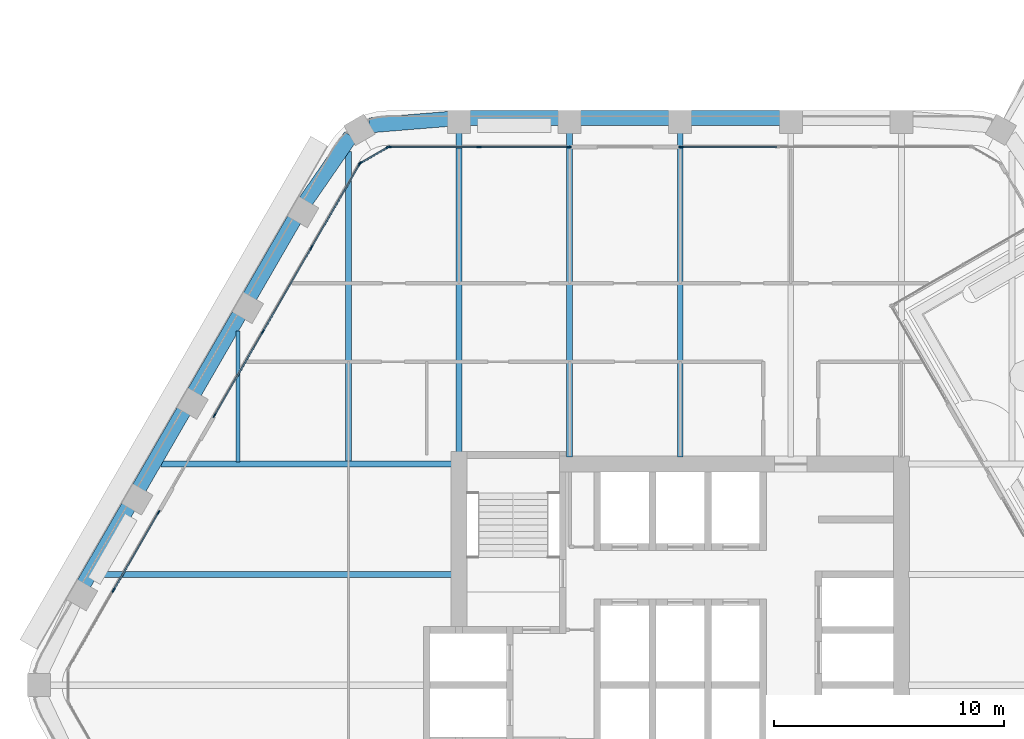
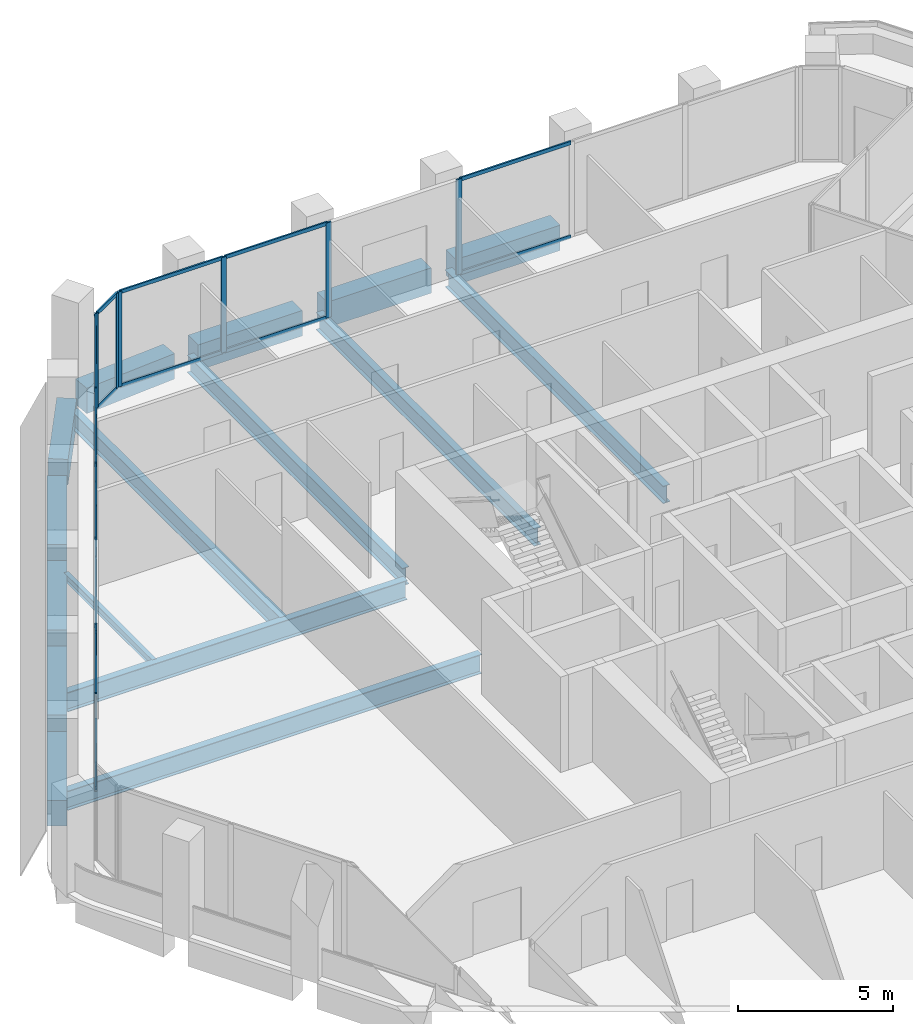
# One storey, part 6 of 17: 28 members, 16 beams, 5 elements without a shape of their own.
"""IFC4 building model written with IfcOpenShell, lengths in metres."""

from ifc_helpers import new_model, si_unit, direction, frame, origin, origin_2d, place, context, subcontext, project, spatial, rectangle, i_section, extrude, material, material_profile, profile_set, type_object, element, aggregate, save


model = new_model("IFC4")

# Units and contexts
model_context = context("Model", 3, precision=1e-05, world=origin(), true_north=direction((0.0, 1.0)))
body_context = subcontext(model_context, "Body", "Model", "MODEL_VIEW")
ifc_project = project(units=[si_unit("LENGTHUNIT", "METRE"), si_unit("AREAUNIT", "SQUARE_METRE"), si_unit("VOLUMEUNIT", "CUBIC_METRE"), si_unit("PLANEANGLEUNIT", "RADIAN"), si_unit("MASSUNIT", "GRAM", prefix="KILO")], contexts=[model_context])

# Site, building, storey
site_placement = place(None, origin())
site = spatial("IfcSite", under=ifc_project, at=site_placement, CompositionType="ELEMENT")
building_placement = place(site_placement, origin())
building = spatial("IfcBuilding", under=site, at=building_placement, Name="Kolab Exchange Tower", CompositionType="ELEMENT")
storey_placement = place(building_placement, frame((0.0, 0.0, 181.699951171875)))
storey = spatial("IfcBuildingStorey", under=building, at=storey_placement, Name="L38", CompositionType="ELEMENT", Elevation=181.699951171875)

# Beams
ifc_material_1 = material(Name="Steel S355", Category="steel")
ifc_material_profile_1 = material_profile(ifc_material_1, i_section(OverallWidth=0.1650390625, OverallDepth=0.31005859375, WebThickness=0.005859375, FlangeThickness=0.009765625, at=origin_2d()), Name="W310X39")
ifc_profile_set_1 = profile_set([ifc_material_profile_1], Name="Steel S355")
beam_type_1 = type_object("IfcBeamType", Name="FLOOR BEAM W310X39", PredefinedType="BEAM", material=ifc_profile_set_1)
beam_1_placement = place(storey_placement, frame((-19.199951171875, 9.693603515625, -0.304931640625), z_axis=(0.0, 1.0, 0.0), x_axis=(-1.0, 0.0, 0.0)))
element("IfcBeam", 1, at=beam_1_placement, inside=storey, type_object=beam_type_1, Name="beam/L38/fr/004", PredefinedType="BEAM", context=body_context, shape_type="SweptSolid", body=[
    extrude(i_section(OverallWidth=0.1650390625, OverallDepth=0.31005859375, WebThickness=0.005859375, FlangeThickness=0.009765625, at=origin_2d()), origin(), (0.0, 0.0, 1.0), 5.674072265625),
])
ifc_material_profile_2 = material_profile(ifc_material_1, i_section(OverallWidth=0.25390625, OverallDepth=0.68408203125, WebThickness=0.012451171875, FlangeThickness=0.018798828125, at=origin_2d()), Name="W690X140")
ifc_profile_set_2 = profile_set([ifc_material_profile_2], Name="Steel S355")
beam_type_2 = type_object("IfcBeamType", Name="FLOOR BEAM W690X140", PredefinedType="BEAM", material=ifc_profile_set_2)
beam_2_placement = place(storey_placement, frame((-14.39990234375, 9.693603515625, -0.491943359375), z_axis=(0.0, 1.0, 0.0), x_axis=(-1.0, 0.0, 0.0)))
element("IfcBeam", 2, at=beam_2_placement, inside=storey, type_object=beam_type_2, Name="beam/L38/fr/006", PredefinedType="BEAM", context=body_context, shape_type="SweptSolid", body=[
    extrude(i_section(OverallWidth=0.25390625, OverallDepth=0.68408203125, WebThickness=0.012451171875, FlangeThickness=0.018798828125, at=origin_2d()), origin(), (0.0, 0.0, 1.0), 13.462158203125),
])
beam_3_placement = place(storey_placement, frame((-9.60009765625, 10.110107421875, -0.491943359375), z_axis=(0.0, 1.0, 0.0), x_axis=(-1.0, 0.0, 0.0)))
element("IfcBeam", 3, at=beam_3_placement, inside=storey, type_object=beam_type_2, Name="beam/L38/fr/008", PredefinedType="BEAM", context=body_context, shape_type="SweptSolid", body=[
    extrude(i_section(OverallWidth=0.25390625, OverallDepth=0.68408203125, WebThickness=0.012451171875, FlangeThickness=0.018798828125, at=origin_2d()), origin(), (0.0, 0.0, 1.0), 13.871337890625),
])
for number, where, z_axis, x_axis, name in (
    (4, (-4.800048828125, 9.909912109375, -0.491943359375), (0.0, 1.0, 0.0), (-1.0, 0.0, 0.0), "beam/L38/fr/010"),
    (5, (0.0, 9.909912109375, -0.491943359375), (0.0, 1.0, 0.0), (-1.0, 0.0, 0.0), "beam/L38/fr/012"),
):
    element("IfcBeam", number, at=place(storey_placement, frame(where, z_axis=z_axis, x_axis=x_axis)), inside=storey, type_object=beam_type_2, Name=name, PredefinedType="BEAM", context=body_context, shape_type="SweptSolid", body=[
        extrude(i_section(OverallWidth=0.25390625, OverallDepth=0.68408203125, WebThickness=0.012451171875, FlangeThickness=0.018798828125, at=origin_2d()), origin(), (0.0, 0.0, 1.0), 14.071533203125),
    ])
ifc_material_profile_3 = material_profile(ifc_material_1, i_section(OverallWidth=0.26708984375, OverallDepth=0.761962890625, WebThickness=0.014404296875, FlangeThickness=0.021484375, at=origin_2d()), Name="W760X173")
ifc_profile_set_3 = profile_set([ifc_material_profile_3], Name="Steel S355")
beam_type_3 = type_object("IfcBeamType", Name="FLOOR BEAM W760X173", PredefinedType="BEAM", material=ifc_profile_set_3)
beam_4_placement = place(storey_placement, frame((-25.318115234375, 4.800048828125, -0.531005859375), z_axis=(1.0, 0.0, 0.0), x_axis=(0.0, 1.0, 0.0)))
element("IfcBeam", 6, at=beam_4_placement, inside=storey, type_object=beam_type_3, Name="beam/L38/fr/002", PredefinedType="BEAM", context=body_context, shape_type="SweptSolid", body=[
    extrude(i_section(OverallWidth=0.26708984375, OverallDepth=0.761962890625, WebThickness=0.014404296875, FlangeThickness=0.021484375, at=origin_2d()), origin(), (0.0, 0.0, 1.0), 15.408203125),
])
ifc_material_profile_4 = material_profile(ifc_material_1, i_section(OverallWidth=0.26708984375, OverallDepth=0.761962890625, WebThickness=0.014404296875, FlangeThickness=0.021484375, at=origin_2d()), Name="W760X173")
ifc_profile_set_4 = profile_set([ifc_material_profile_4], Name="Steel S355")
beam_type_4 = type_object("IfcBeamType", Name="FLOOR GIRDER W760X173", PredefinedType="BEAM", material=ifc_profile_set_4)
beam_5_placement = place(storey_placement, frame((-22.546875, 9.60009765625, -0.531005859375), z_axis=(1.0, 0.0, 0.0), x_axis=(0.0, 1.0, 0.0)))
element("IfcBeam", 7, at=beam_5_placement, inside=storey, type_object=beam_type_4, Name="beam/L38/gd/001", PredefinedType="BEAM", context=body_context, shape_type="SweptSolid", body=[
    extrude(i_section(OverallWidth=0.26708984375, OverallDepth=0.761962890625, WebThickness=0.014404296875, FlangeThickness=0.021484375, at=origin_2d()), origin(), (0.0, 0.0, 1.0), 12.636962890625),
])
ifc_material_2 = material(Name="Concrete C60/75", Category="concrete")
ifc_material_profile_5 = material_profile(ifc_material_2, rectangle(XDim=0.64990234375, YDim=1.0, at=origin_2d()), Name="RC650X1000")
ifc_profile_set_5 = profile_set([ifc_material_profile_5], Name="Concrete C60/75")
beam_type_5 = type_object("IfcBeamType", Name="SPANDREL BEAM 650X1000 C60/75", PredefinedType="BEAM", material=ifc_profile_set_5)
beam_6_placement = place(storey_placement, frame((-13.493896484375, 24.2998046875, -0.64990234375), z_axis=(0.996708497182, 0.081068931445, 0.0), x_axis=(-0.081068931445, 0.996708497182, 0.0)))
element("IfcBeam", 8, at=beam_6_placement, inside=storey, type_object=beam_type_5, Name="beam/L38/sp/F1-01", PredefinedType="BEAM", context=body_context, shape_type="SweptSolid", body=[
    extrude(rectangle(XDim=0.64990234375, YDim=1.0, at=origin_2d()), origin(), (0.0, 0.0, 1.0), 3.445068359375),
])
beam_7_placement = place(storey_placement, frame((-9.139892578125, 24.616455078125, -0.64990234375), z_axis=(1.0, 0.0, 0.0), x_axis=(0.0, 1.0, 0.0)))
element("IfcBeam", 9, at=beam_7_placement, inside=storey, type_object=beam_type_5, Name="beam/L38/sp/F1-02", PredefinedType="BEAM", context=body_context, shape_type="SweptSolid", body=[
    extrude(rectangle(XDim=0.64990234375, YDim=1.0, at=origin_2d()), origin(), (0.0, 0.0, 1.0), 3.8798828125),
])
for number, where, z_axis, x_axis, name in (
    (10, (-4.340087890625, 24.616455078125, -0.64990234375), (1.0, 0.0, 0.0), (0.0, 1.0, 0.0), "beam/L38/sp/F1-03"),
    (11, (0.4599609375, 24.616455078125, -0.64990234375), (1.0, 0.0, 0.0), (0.0, 1.0, 0.0), "beam/L38/sp/F1-04"),
):
    element("IfcBeam", number, at=place(storey_placement, frame(where, z_axis=z_axis, x_axis=x_axis)), inside=storey, type_object=beam_type_5, Name=name, PredefinedType="BEAM", context=body_context, shape_type="SweptSolid", body=[
        extrude(rectangle(XDim=0.64990234375, YDim=1.0, at=origin_2d()), origin(), (0.0, 0.0, 1.0), 3.880126953125),
    ])
for number, where, z_axis, x_axis, name in (
    (12, (-25.888427734375, 4.392822265625, -0.64990234375), (0.499996613652, 0.866027358884, 0.0), (-0.866027358884, 0.499996613652, 0.0), "beam/L38/sp/F6-02"),
    (13, (-23.488525390625, 8.5498046875, -0.64990234375), (0.499996613652, 0.866027358884, 0.0), (-0.866027358884, 0.499996613652, 0.0), "beam/L38/sp/F6-03"),
):
    element("IfcBeam", number, at=place(storey_placement, frame(where, z_axis=z_axis, x_axis=x_axis)), inside=storey, type_object=beam_type_5, Name=name, PredefinedType="BEAM", context=body_context, shape_type="SweptSolid", body=[
        extrude(rectangle(XDim=0.64990234375, YDim=1.0, at=origin_2d()), origin(), (0.0, 0.0, 1.0), 3.8798828125),
    ])
beam_8_placement = place(storey_placement, frame((-21.088623046875, 12.70654296875, -0.64990234375), z_axis=(0.50001655835, 0.866015843605, 0.0), x_axis=(-0.866015843605, 0.50001655835, 0.0)))
element("IfcBeam", 14, at=beam_8_placement, inside=storey, type_object=beam_type_5, Name="beam/L38/sp/F6-04", PredefinedType="BEAM", context=body_context, shape_type="SweptSolid", body=[
    extrude(rectangle(XDim=0.64990234375, YDim=1.0, at=origin_2d()), origin(), (0.0, 0.0, 1.0), 3.880126953125),
])
beam_9_placement = place(storey_placement, frame((-18.6884765625, 16.863525390625, -0.64990234375), z_axis=(0.499996613652, 0.866027358884, 0.0), x_axis=(-0.866027358884, 0.499996613652, 0.0)))
element("IfcBeam", 15, at=beam_9_placement, inside=storey, type_object=beam_type_5, Name="beam/L38/sp/F6-05", PredefinedType="BEAM", context=body_context, shape_type="SweptSolid", body=[
    extrude(rectangle(XDim=0.64990234375, YDim=1.0, at=origin_2d()), origin(), (0.0, 0.0, 1.0), 3.8798828125),
])
beam_10_placement = place(storey_placement, frame((-16.256103515625, 21.001953125, -0.64990234375), z_axis=(0.568572281073, 0.822633309073, 0.0), x_axis=(-0.822633309073, 0.568572281073, 0.0)))
element("IfcBeam", 16, at=beam_10_placement, inside=storey, type_object=beam_type_5, Name="beam/L38/sp/F6-06", PredefinedType="BEAM", context=body_context, shape_type="SweptSolid", body=[
    extrude(rectangle(XDim=0.64990234375, YDim=1.0, at=origin_2d()), origin(), (0.0, 0.0, 1.0), 3.445068359375),
])

# Curtain wall, members
ifc_material_3 = material(Name="Aluminium EN AW-6063 T6", Category="aluminium")
curtain_wall_type = type_object("IfcCurtainWallType", Name="UNITISED UPPER MID ZONE CURTAIN WALL", PredefinedType="NOTDEFINED", material=ifc_material_3)
curtain_wall_1_placement = place(storey_placement, origin())
curtain_wall_1 = element("IfcCurtainWall", 17, at=curtain_wall_1_placement, inside=storey, type_object=curtain_wall_type, Name="cw/L38/F1-1", PredefinedType="NOTDEFINED")
ifc_material_profile_6 = material_profile(ifc_material_3, rectangle(XDim=0.06005859375, YDim=0.199951171875, at=origin_2d()), Name="RECT 60X200")
ifc_profile_set_6 = profile_set([ifc_material_profile_6], Name="Aluminium EN AW-6063 T6")
member_type_1 = type_object("IfcMemberType", Name="UNITISED UPPER MID ZONE MULLION 60 X 200", PredefinedType="MULLION", material=ifc_profile_set_6)
member_1_placement = place(storey_placement, frame((-12.637939453125, 23.361572265625, 0.0), z_axis=(0.0, 0.0, 1.0), x_axis=(0.0, 1.0, 0.0)))
member_1 = element("IfcMember", 18, at=member_1_placement, type_object=member_type_1, Name="CW3 mullion 1", PredefinedType="MULLION", context=body_context, shape_type="SweptSolid", body=[
    extrude(rectangle(XDim=0.06005859375, YDim=0.199951171875, at=origin_2d()), origin(), (0.0, 0.0, 1.0), 3.75),
])
member_2_placement = place(storey_placement, frame((-8.73388671875, 23.361572265625, 0.0), z_axis=(0.0, 0.0, 1.0), x_axis=(0.0, 1.0, 0.0)))
member_2 = element("IfcMember", 19, at=member_2_placement, type_object=member_type_1, Name="CW3 mullion 2", PredefinedType="MULLION", context=body_context, shape_type="SweptSolid", body=[
    extrude(rectangle(XDim=0.06005859375, YDim=0.199951171875, at=origin_2d()), origin(), (0.0, 0.0, 1.0), 3.75),
])
member_3_placement = place(storey_placement, frame((-4.830078125, 23.361572265625, 0.0), z_axis=(0.0, 0.0, 1.0), x_axis=(0.0, 1.0, 0.0)))
member_3 = element("IfcMember", 20, at=member_3_placement, type_object=member_type_1, Name="CW3 mullion 3", PredefinedType="MULLION", context=body_context, shape_type="SweptSolid", body=[
    extrude(rectangle(XDim=0.06005859375, YDim=0.199951171875, at=origin_2d()), origin(), (0.0, 0.0, 1.0), 3.75),
])

# Curtain wall, member
curtain_wall_2_placement = place(storey_placement, origin())
curtain_wall_2 = element("IfcCurtainWall", 21, at=curtain_wall_2_placement, inside=storey, type_object=curtain_wall_type, Name="cw/L38/F1-2", PredefinedType="NOTDEFINED")
member_4_placement = place(storey_placement, frame((0.030029296875, 23.361572265625, 0.0), z_axis=(0.0, 0.0, 1.0), x_axis=(0.0, 1.0, 0.0)))
member_4 = element("IfcMember", 22, at=member_4_placement, type_object=member_type_1, Name="CW3 mullion 1", PredefinedType="MULLION", context=body_context, shape_type="SweptSolid", body=[
    extrude(rectangle(XDim=0.06005859375, YDim=0.199951171875, at=origin_2d()), origin(), (0.0, 0.0, 1.0), 3.75),
])

# Curtain wall, members
curtain_wall_3_placement = place(storey_placement, origin())
curtain_wall_3 = element("IfcCurtainWall", 23, at=curtain_wall_3_placement, inside=storey, type_object=curtain_wall_type, Name="cw/L38/F6-1", PredefinedType="NOTDEFINED")
member_5_placement = place(storey_placement, frame((-24.5986328125, 4.116943359375, 0.0), z_axis=(0.0, 0.0, 1.0), x_axis=(-0.866025440524, 0.499999936366, 0.0)))
member_5 = element("IfcMember", 24, at=member_5_placement, type_object=member_type_1, Name="CW3 mullion 2", PredefinedType="MULLION", context=body_context, shape_type="SweptSolid", body=[
    extrude(rectangle(XDim=0.06005859375, YDim=0.199951171875, at=origin_2d()), origin(), (0.0, 0.0, 1.0), 3.75),
])
member_6_placement = place(storey_placement, frame((-22.646728515625, 7.497802734375, 0.0), z_axis=(0.0, 0.0, 1.0), x_axis=(-0.866025440524, 0.499999936366, 0.0)))
member_6 = element("IfcMember", 25, at=member_6_placement, type_object=member_type_1, Name="CW3 mullion 3", PredefinedType="MULLION", context=body_context, shape_type="SweptSolid", body=[
    extrude(rectangle(XDim=0.06005859375, YDim=0.199951171875, at=origin_2d()), origin(), (0.0, 0.0, 1.0), 3.75),
])

curtain_wall_4_placement = place(storey_placement, origin())
curtain_wall_4 = element("IfcCurtainWall", 26, at=curtain_wall_4_placement, inside=storey, type_object=curtain_wall_type, Name="cw/L38/F6-2", PredefinedType="NOTDEFINED")
member_7_placement = place(storey_placement, frame((-20.216796875, 11.706787109375, 0.0), z_axis=(0.0, 0.0, 1.0), x_axis=(-0.866025393644, 0.500000017564, 0.0)))
member_7 = element("IfcMember", 27, at=member_7_placement, type_object=member_type_1, Name="CW3 mullion 1", PredefinedType="MULLION", context=body_context, shape_type="SweptSolid", body=[
    extrude(rectangle(XDim=0.06005859375, YDim=0.199951171875, at=origin_2d()), origin(), (0.0, 0.0, 1.0), 3.75),
])
member_8_placement = place(storey_placement, frame((-18.120361328125, 15.337646484375, 0.0), z_axis=(0.0, 0.0, 1.0), x_axis=(-0.866025393644, 0.500000017564, 0.0)))
member_8 = element("IfcMember", 28, at=member_8_placement, type_object=member_type_1, Name="CW3 mullion 2", PredefinedType="MULLION", context=body_context, shape_type="SweptSolid", body=[
    extrude(rectangle(XDim=0.06005859375, YDim=0.199951171875, at=origin_2d()), origin(), (0.0, 0.0, 1.0), 3.75),
])
member_9_placement = place(storey_placement, frame((-16.009033203125, 18.99462890625, 0.0), z_axis=(0.0, 0.0, 1.0), x_axis=(-0.866025393644, 0.500000017564, 0.0)))
member_9 = element("IfcMember", 29, at=member_9_placement, type_object=member_type_1, Name="CW3 mullion 3", PredefinedType="MULLION", context=body_context, shape_type="SweptSolid", body=[
    extrude(rectangle(XDim=0.06005859375, YDim=0.199951171875, at=origin_2d()), origin(), (0.0, 0.0, 1.0), 3.75),
])
member_10_placement = place(storey_placement, frame((-13.91259765625, 22.62548828125, 0.0), z_axis=(0.0, 0.0, 1.0), x_axis=(-0.866025393644, 0.500000017564, 0.0)))
member_10 = element("IfcMember", 30, at=member_10_placement, type_object=member_type_1, Name="CW3 mullion 4", PredefinedType="MULLION", context=body_context, shape_type="SweptSolid", body=[
    extrude(rectangle(XDim=0.06005859375, YDim=0.199951171875, at=origin_2d()), origin(), (0.0, 0.0, 1.0), 3.75),
])

curtain_wall_5_placement = place(storey_placement, origin())
curtain_wall_5 = element("IfcCurtainWall", 31, at=curtain_wall_5_placement, inside=storey, type_object=curtain_wall_type, Name="cw/L38/F6F1-corner", PredefinedType="NOTDEFINED")
member_11_placement = place(storey_placement, frame((-13.871826171875, 22.66650390625, 0.0), z_axis=(0.0, 0.0, 1.0), x_axis=(-0.50000002237, 0.866025390869, 0.0)))
member_11 = element("IfcMember", 32, at=member_11_placement, type_object=member_type_1, Name="CW3 mullion 1", PredefinedType="MULLION", context=body_context, shape_type="SweptSolid", body=[
    extrude(rectangle(XDim=0.06005859375, YDim=0.199951171875, at=origin_2d()), origin(), (0.0, 0.0, 1.0), 3.75),
])
member_12_placement = place(storey_placement, frame((-12.69384765625, 23.346435546875, 0.0), z_axis=(0.0, 0.0, 1.0), x_axis=(-0.50000002237, 0.866025390869, 0.0)))
member_12 = element("IfcMember", 33, at=member_12_placement, type_object=member_type_1, Name="CW3 mullion 2", PredefinedType="MULLION", context=body_context, shape_type="SweptSolid", body=[
    extrude(rectangle(XDim=0.06005859375, YDim=0.199951171875, at=origin_2d()), origin(), (0.0, 0.0, 1.0), 3.75),
])

# Member
ifc_material_profile_7 = material_profile(ifc_material_3, rectangle(XDim=0.06005859375, YDim=0.139892578125, at=origin_2d()), Name="RECT 60X140")
ifc_profile_set_7 = profile_set([ifc_material_profile_7], Name="Aluminium EN AW-6063 T6")
member_type_2 = type_object("IfcMemberType", Name="UNITISED UPPER MID ZONE TRANSOM 60 X 140", PredefinedType="USERDEFINED", material=ifc_profile_set_7)
member_13_placement = place(storey_placement, frame((-12.60791015625, 23.361572265625, 0.030029296875), z_axis=(1.0, 0.0, 0.0), x_axis=(0.0, 1.0, 0.0)))
member_13 = element("IfcMember", 34, at=member_13_placement, type_object=member_type_2, Name="CW3 transom 1.1", ObjectType="TRANSOM", PredefinedType="USERDEFINED", context=body_context, shape_type="SweptSolid", body=[
    extrude(rectangle(XDim=0.06005859375, YDim=0.139892578125, at=origin_2d()), origin(), (0.0, 0.0, 1.0), 3.843994140625),
])

member_14_placement = place(storey_placement, frame((-12.60791015625, 23.361572265625, 3.719970703125), z_axis=(1.0, 0.0, 0.0), x_axis=(0.0, 1.0, 0.0)))
member_14 = element("IfcMember", 35, at=member_14_placement, type_object=member_type_2, Name="CW3 transom 1.2", ObjectType="TRANSOM", PredefinedType="USERDEFINED", context=body_context, shape_type="SweptSolid", body=[
    extrude(rectangle(XDim=0.06005859375, YDim=0.139892578125, at=origin_2d()), origin(), (0.0, 0.0, 1.0), 3.843994140625),
])

member_15_placement = place(storey_placement, frame((-8.703857421875, 23.361572265625, 0.030029296875), z_axis=(1.0, 0.0, 0.0), x_axis=(0.0, 1.0, 0.0)))
member_15 = element("IfcMember", 36, at=member_15_placement, type_object=member_type_2, Name="CW3 transom 2.1", ObjectType="TRANSOM", PredefinedType="USERDEFINED", context=body_context, shape_type="SweptSolid", body=[
    extrude(rectangle(XDim=0.06005859375, YDim=0.139892578125, at=origin_2d()), origin(), (0.0, 0.0, 1.0), 3.84375),
])

member_16_placement = place(storey_placement, frame((-8.703857421875, 23.361572265625, 3.719970703125), z_axis=(1.0, 0.0, 0.0), x_axis=(0.0, 1.0, 0.0)))
member_16 = element("IfcMember", 37, at=member_16_placement, type_object=member_type_2, Name="CW3 transom 2.2", ObjectType="TRANSOM", PredefinedType="USERDEFINED", context=body_context, shape_type="SweptSolid", body=[
    extrude(rectangle(XDim=0.06005859375, YDim=0.139892578125, at=origin_2d()), origin(), (0.0, 0.0, 1.0), 3.84375),
])

aggregate(curtain_wall_1, [member_1, member_2, member_3, member_13, member_14, member_15, member_16])

member_17_placement = place(storey_placement, frame((0.06005859375, 23.361572265625, 0.030029296875), z_axis=(1.0, 0.0, 0.0), x_axis=(0.0, 1.0, 0.0)))
member_17 = element("IfcMember", 38, at=member_17_placement, type_object=member_type_2, Name="CW3 transom 1.1", ObjectType="TRANSOM", PredefinedType="USERDEFINED", context=body_context, shape_type="SweptSolid", body=[
    extrude(rectangle(XDim=0.06005859375, YDim=0.139892578125, at=origin_2d()), origin(), (0.0, 0.0, 1.0), 4.132568359375),
])

member_18_placement = place(storey_placement, frame((0.06005859375, 23.361572265625, 3.719970703125), z_axis=(1.0, 0.0, 0.0), x_axis=(0.0, 1.0, 0.0)))
member_18 = element("IfcMember", 39, at=member_18_placement, type_object=member_type_2, Name="CW3 transom 1.2", ObjectType="TRANSOM", PredefinedType="USERDEFINED", context=body_context, shape_type="SweptSolid", body=[
    extrude(rectangle(XDim=0.06005859375, YDim=0.139892578125, at=origin_2d()), origin(), (0.0, 0.0, 1.0), 4.132568359375),
])

aggregate(curtain_wall_2, [member_4, member_17, member_18])

member_19_placement = place(storey_placement, frame((-24.583740234375, 4.142822265625, 0.030029296875), z_axis=(0.500011990396, 0.866018481016, 0.0), x_axis=(-0.866018481016, 0.500011990396, 0.0)))
member_19 = element("IfcMember", 40, at=member_19_placement, type_object=member_type_2, Name="CW3 transom 2.1", ObjectType="TRANSOM", PredefinedType="USERDEFINED", context=body_context, shape_type="SweptSolid", body=[
    extrude(rectangle(XDim=0.06005859375, YDim=0.139892578125, at=origin_2d()), origin(), (0.0, 0.0, 1.0), 3.84423828125),
])

member_20_placement = place(storey_placement, frame((-24.583740234375, 4.142822265625, 3.719970703125), z_axis=(0.500011990396, 0.866018481016, 0.0), x_axis=(-0.866018481016, 0.500011990396, 0.0)))
member_20 = element("IfcMember", 41, at=member_20_placement, type_object=member_type_2, Name="CW3 transom 2.2", ObjectType="TRANSOM", PredefinedType="USERDEFINED", context=body_context, shape_type="SweptSolid", body=[
    extrude(rectangle(XDim=0.06005859375, YDim=0.139892578125, at=origin_2d()), origin(), (0.0, 0.0, 1.0), 3.84423828125),
])

aggregate(curtain_wall_3, [member_5, member_6, member_19, member_20])

member_21_placement = place(storey_placement, frame((-20.20166015625, 11.732666015625, 0.030029296875), z_axis=(0.500001996123, 0.866024251319, 0.0), x_axis=(-0.866024251319, 0.500001996123, 0.0)))
member_21 = element("IfcMember", 42, at=member_21_placement, type_object=member_type_2, Name="CW3 transom 1.1", ObjectType="TRANSOM", PredefinedType="USERDEFINED", context=body_context, shape_type="SweptSolid", body=[
    extrude(rectangle(XDim=0.06005859375, YDim=0.139892578125, at=origin_2d()), origin(), (0.0, 0.0, 1.0), 4.1328125),
])

member_22_placement = place(storey_placement, frame((-20.20166015625, 11.732666015625, 3.719970703125), z_axis=(0.500001996123, 0.866024251319, 0.0), x_axis=(-0.866024251319, 0.500001996123, 0.0)))
member_22 = element("IfcMember", 43, at=member_22_placement, type_object=member_type_2, Name="CW3 transom 1.2", ObjectType="TRANSOM", PredefinedType="USERDEFINED", context=body_context, shape_type="SweptSolid", body=[
    extrude(rectangle(XDim=0.06005859375, YDim=0.139892578125, at=origin_2d()), origin(), (0.0, 0.0, 1.0), 4.1328125),
])

member_23_placement = place(storey_placement, frame((-18.10546875, 15.36376953125, 0.030029296875), z_axis=(0.500037208726, 0.86600392025, 0.0), x_axis=(-0.86600392025, 0.500037208726, 0.0)))
member_23 = element("IfcMember", 44, at=member_23_placement, type_object=member_type_2, Name="CW3 transom 2.1", ObjectType="TRANSOM", PredefinedType="USERDEFINED", context=body_context, shape_type="SweptSolid", body=[
    extrude(rectangle(XDim=0.06005859375, YDim=0.139892578125, at=origin_2d()), origin(), (0.0, 0.0, 1.0), 4.162841796875),
])

member_24_placement = place(storey_placement, frame((-18.10546875, 15.36376953125, 3.719970703125), z_axis=(0.500037208726, 0.86600392025, 0.0), x_axis=(-0.86600392025, 0.500037208726, 0.0)))
member_24 = element("IfcMember", 45, at=member_24_placement, type_object=member_type_2, Name="CW3 transom 2.2", ObjectType="TRANSOM", PredefinedType="USERDEFINED", context=body_context, shape_type="SweptSolid", body=[
    extrude(rectangle(XDim=0.06005859375, YDim=0.139892578125, at=origin_2d()), origin(), (0.0, 0.0, 1.0), 4.162841796875),
])

member_25_placement = place(storey_placement, frame((-15.994140625, 19.0205078125, 0.030029296875), z_axis=(0.500001996123, 0.866024251319, 0.0), x_axis=(-0.866024251319, 0.500001996123, 0.0)))
member_25 = element("IfcMember", 46, at=member_25_placement, type_object=member_type_2, Name="CW3 transom 3.1", ObjectType="TRANSOM", PredefinedType="USERDEFINED", context=body_context, shape_type="SweptSolid", body=[
    extrude(rectangle(XDim=0.06005859375, YDim=0.139892578125, at=origin_2d()), origin(), (0.0, 0.0, 1.0), 4.1328125),
])

member_26_placement = place(storey_placement, frame((-15.994140625, 19.0205078125, 3.719970703125), z_axis=(0.500001996123, 0.866024251319, 0.0), x_axis=(-0.866024251319, 0.500001996123, 0.0)))
member_26 = element("IfcMember", 47, at=member_26_placement, type_object=member_type_2, Name="CW3 transom 3.2", ObjectType="TRANSOM", PredefinedType="USERDEFINED", context=body_context, shape_type="SweptSolid", body=[
    extrude(rectangle(XDim=0.06005859375, YDim=0.139892578125, at=origin_2d()), origin(), (0.0, 0.0, 1.0), 4.1328125),
])

aggregate(curtain_wall_4, [member_7, member_8, member_9, member_10, member_21, member_22, member_23, member_24, member_25, member_26])

member_27_placement = place(storey_placement, frame((-13.845703125, 22.681640625, 0.030029296875), z_axis=(0.86603858612, 0.49997716683, 0.0), x_axis=(-0.49997716683, 0.86603858612, 0.0)))
member_27 = element("IfcMember", 48, at=member_27_placement, type_object=member_type_2, Name="CW3 transom 1.1", ObjectType="TRANSOM", PredefinedType="USERDEFINED", context=body_context, shape_type="SweptSolid", body=[
    extrude(rectangle(XDim=0.06005859375, YDim=0.139892578125, at=origin_2d()), origin(), (0.0, 0.0, 1.0), 1.2998046875),
])

member_28_placement = place(storey_placement, frame((-13.845703125, 22.681640625, 3.719970703125), z_axis=(0.86603858612, 0.49997716683, 0.0), x_axis=(-0.49997716683, 0.86603858612, 0.0)))
member_28 = element("IfcMember", 49, at=member_28_placement, type_object=member_type_2, Name="CW3 transom 1.2", ObjectType="TRANSOM", PredefinedType="USERDEFINED", context=body_context, shape_type="SweptSolid", body=[
    extrude(rectangle(XDim=0.06005859375, YDim=0.139892578125, at=origin_2d()), origin(), (0.0, 0.0, 1.0), 1.2998046875),
])

aggregate(curtain_wall_5, [member_11, member_12, member_27, member_28])

save(model, "model.ifc")
